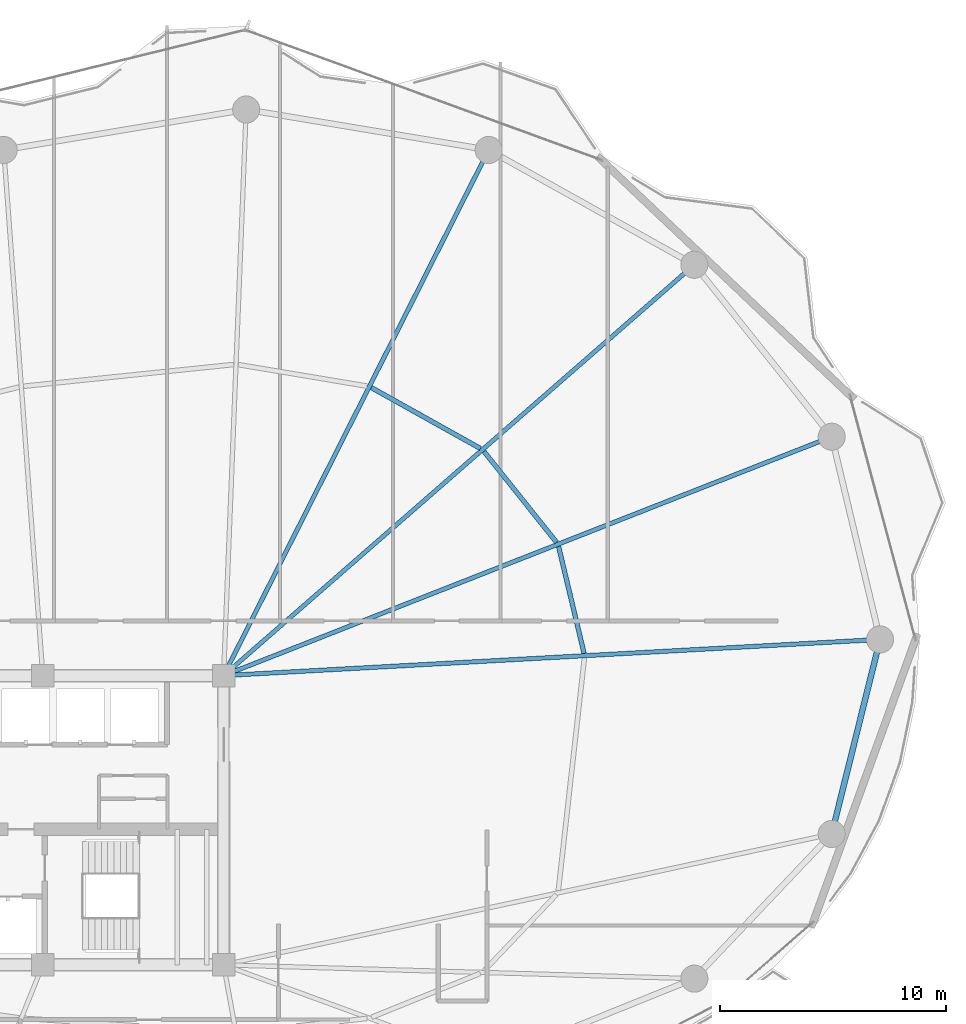
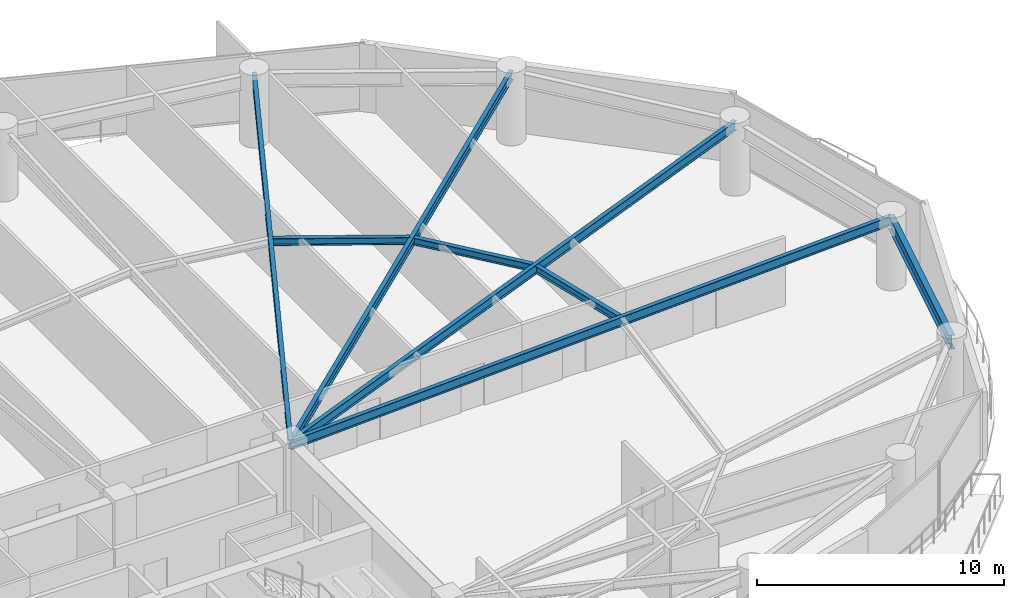
# One storey, part 14 of 28: 8 beams.
"""IFC4 building model written with IfcOpenShell, lengths in metres."""

from ifc_helpers import new_model, si_unit, direction, frame, origin, origin_2d, place, context, subcontext, project, spatial, i_section, extrude, material, material_profile, profile_set, type_object, element, save


model = new_model("IFC4")

# Units and contexts
model_context = context("Model", 3, precision=1e-05, world=origin(), true_north=direction((0.0, 1.0)))
body_context = subcontext(model_context, "Body", "Model", "MODEL_VIEW")
ifc_project = project(units=[si_unit("LENGTHUNIT", "METRE"), si_unit("AREAUNIT", "SQUARE_METRE"), si_unit("VOLUMEUNIT", "CUBIC_METRE"), si_unit("PLANEANGLEUNIT", "RADIAN"), si_unit("MASSUNIT", "GRAM", prefix="KILO")], contexts=[model_context])

# Site, building, storey
site_placement = place(None, origin())
site = spatial("IfcSite", under=ifc_project, at=site_placement, CompositionType="ELEMENT")
building_placement = place(site_placement, origin())
building = spatial("IfcBuilding", under=site, at=building_placement, Name="Kazevale Care Tower and Concert Hall", CompositionType="ELEMENT")
storey_placement = place(building_placement, frame((0.0, 0.0, 135.0)))
storey = spatial("IfcBuildingStorey", under=building, at=storey_placement, Name="L35", CompositionType="ELEMENT", Elevation=135.0)

# Beams
ifc_material = material(Name="Steel ASTM A572 Gr 50", Category="steel")
ifc_material_profile_1 = material_profile(ifc_material, i_section(OverallWidth=0.19091796875, OverallDepth=0.4599609375, WebThickness=0.010009765625, FlangeThickness=0.01611328125, at=origin_2d()), Name="W460x82")
ifc_profile_set_1 = profile_set([ifc_material_profile_1], Name="Steel ASTM A572 Gr 50")
beam_type_1 = type_object("IfcBeamType", Name="Radial Floor Beam W460x82", PredefinedType="BEAM", material=ifc_profile_set_1)
beam_1_placement = place(storey_placement, frame((44.0, 36.39990234375, 3.1298828125), z_axis=(0.998486500016, 0.054997357076, 0.0), x_axis=(-0.054997357076, 0.998486500016, 0.0)))
element("IfcBeam", 1, at=beam_1_placement, inside=storey, type_object=beam_type_1, Name="beam:L35:rad:01", PredefinedType="BEAM", context=body_context, shape_type="SweptSolid", body=[
    extrude(i_section(OverallWidth=0.19091796875, OverallDepth=0.4599609375, WebThickness=0.010009765625, FlangeThickness=0.01611328125, at=origin_2d()), origin(), (0.0, 0.0, 1.0), 29.093994140625),
])
beam_2_placement = place(storey_placement, frame((44.0, 36.39990234375, 3.1298828125), z_axis=(0.930771301513, 0.36560194786, 0.0), x_axis=(-0.36560194786, 0.930771301513, 0.0)))
element("IfcBeam", 2, at=beam_2_placement, inside=storey, type_object=beam_type_1, Name="beam:L35:rad:02", PredefinedType="BEAM", context=body_context, shape_type="SweptSolid", body=[
    extrude(i_section(OverallWidth=0.19091796875, OverallDepth=0.4599609375, WebThickness=0.010009765625, FlangeThickness=0.01611328125, at=origin_2d()), origin(), (0.0, 0.0, 1.0), 28.911376953125),
])
beam_3_placement = place(storey_placement, frame((44.0, 36.39990234375, 3.1298828125), z_axis=(0.753403181998, 0.657558853149, 0.0), x_axis=(-0.657558853149, 0.753403181998, 0.0)))
element("IfcBeam", 3, at=beam_3_placement, inside=storey, type_object=beam_type_1, Name="beam:L35:rad:03", PredefinedType="BEAM", context=body_context, shape_type="SweptSolid", body=[
    extrude(i_section(OverallWidth=0.19091796875, OverallDepth=0.4599609375, WebThickness=0.010009765625, FlangeThickness=0.01611328125, at=origin_2d()), origin(), (0.0, 0.0, 1.0), 27.64794921875),
])
beam_4_placement = place(storey_placement, frame((44.0, 36.39990234375, 3.1298828125), z_axis=(0.450281187568, 0.892886808124, 0.0), x_axis=(-0.892886808124, 0.450281187568, 0.0)))
element("IfcBeam", 4, at=beam_4_placement, inside=storey, type_object=beam_type_1, Name="beam:L35:rad:04", PredefinedType="BEAM", context=body_context, shape_type="SweptSolid", body=[
    extrude(i_section(OverallWidth=0.19091796875, OverallDepth=0.4599609375, WebThickness=0.010009765625, FlangeThickness=0.01611328125, at=origin_2d()), origin(), (0.0, 0.0, 1.0), 26.05029296875),
])
ifc_material_profile_2 = material_profile(ifc_material, i_section(OverallWidth=0.205078125, OverallDepth=0.35400390625, WebThickness=0.009521484375, FlangeThickness=0.016845703125, at=origin_2d()), Name="W360x79")
ifc_profile_set_2 = profile_set([ifc_material_profile_2], Name="Steel ASTM A572 Gr 50")
beam_type_2 = type_object("IfcBeamType", Name="Secondary Floor Joist W360x79", PredefinedType="JOIST", material=ifc_profile_set_2)
beam_5_placement = place(storey_placement, frame((59.952880859375, 37.382080078125, 3.18310546875), z_axis=(-0.232005223279, 0.972714540023, 0.0), x_axis=(-0.972714540023, -0.232005223279, 0.0)))
element("IfcBeam", 5, at=beam_5_placement, inside=storey, type_object=beam_type_2, Name="beam:L35:joist:01", PredefinedType="JOIST", context=body_context, shape_type="SweptSolid", body=[
    extrude(i_section(OverallWidth=0.205078125, OverallDepth=0.35400390625, WebThickness=0.009521484375, FlangeThickness=0.016845703125, at=origin_2d()), origin(), (0.0, 0.0, 1.0), 4.861572265625),
])
beam_6_placement = place(storey_placement, frame((58.735107421875, 42.2958984375, 3.18310546875), z_axis=(-0.624261115922, 0.781215757104, 0.0), x_axis=(-0.781215757104, -0.624261115922, 0.0)))
element("IfcBeam", 6, at=beam_6_placement, inside=storey, type_object=beam_type_2, Name="beam:L35:joist:02", PredefinedType="JOIST", context=body_context, shape_type="SweptSolid", body=[
    extrude(i_section(OverallWidth=0.205078125, OverallDepth=0.35400390625, WebThickness=0.009521484375, FlangeThickness=0.016845703125, at=origin_2d()), origin(), (0.0, 0.0, 1.0), 5.147216796875),
])
beam_7_placement = place(storey_placement, frame((55.364990234375, 46.449951171875, 3.18310546875), z_axis=(-0.873137755824, 0.487473547338, 0.0), x_axis=(-0.487473547338, -0.873137755824, 0.0)))
element("IfcBeam", 7, at=beam_7_placement, inside=storey, type_object=beam_type_2, Name="beam:L35:joist:03", PredefinedType="JOIST", context=body_context, shape_type="SweptSolid", body=[
    extrude(i_section(OverallWidth=0.205078125, OverallDepth=0.35400390625, WebThickness=0.009521484375, FlangeThickness=0.016845703125, at=origin_2d()), origin(), (0.0, 0.0, 1.0), 5.522705078125),
])
ifc_material_profile_3 = material_profile(ifc_material, i_section(OverallWidth=0.256103515625, OverallDepth=0.693115234375, WebThickness=0.014404296875, FlangeThickness=0.023681640625, at=origin_2d()), Name="W690x170")
ifc_profile_set_3 = profile_set([ifc_material_profile_3], Name="Steel ASTM A572 Gr 50")
beam_type_3 = type_object("IfcBeamType", Name="Waist Ring Beam W690x170", PredefinedType="BEAM", material=ifc_profile_set_3)
beam_8_placement = place(storey_placement, frame((70.909912109375, 29.389892578125, 3.013427734375), z_axis=(0.241221022882, 0.970470204653, 0.0), x_axis=(-0.970470204653, 0.241221022882, 0.0)))
element("IfcBeam", 8, at=beam_8_placement, inside=storey, type_object=beam_type_3, Name="beam:L35:ring:16", PredefinedType="BEAM", context=body_context, shape_type="SweptSolid", body=[
    extrude(i_section(OverallWidth=0.256103515625, OverallDepth=0.693115234375, WebThickness=0.014404296875, FlangeThickness=0.023681640625, at=origin_2d()), origin(), (0.0, 0.0, 1.0), 8.8720703125),
])

save(model, "model.ifc")
